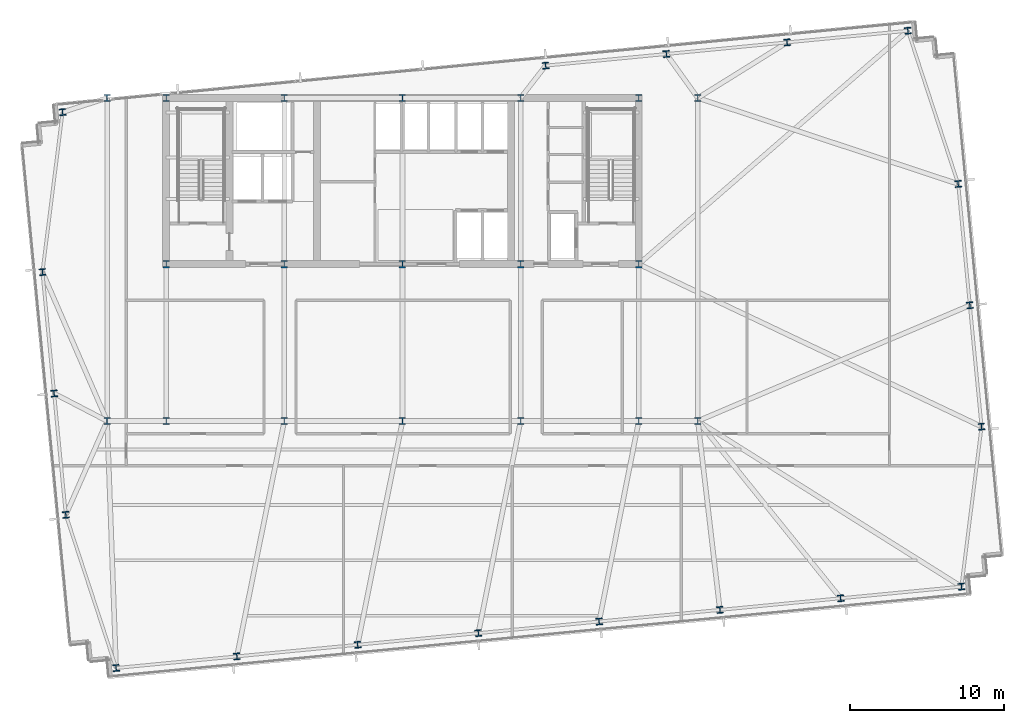
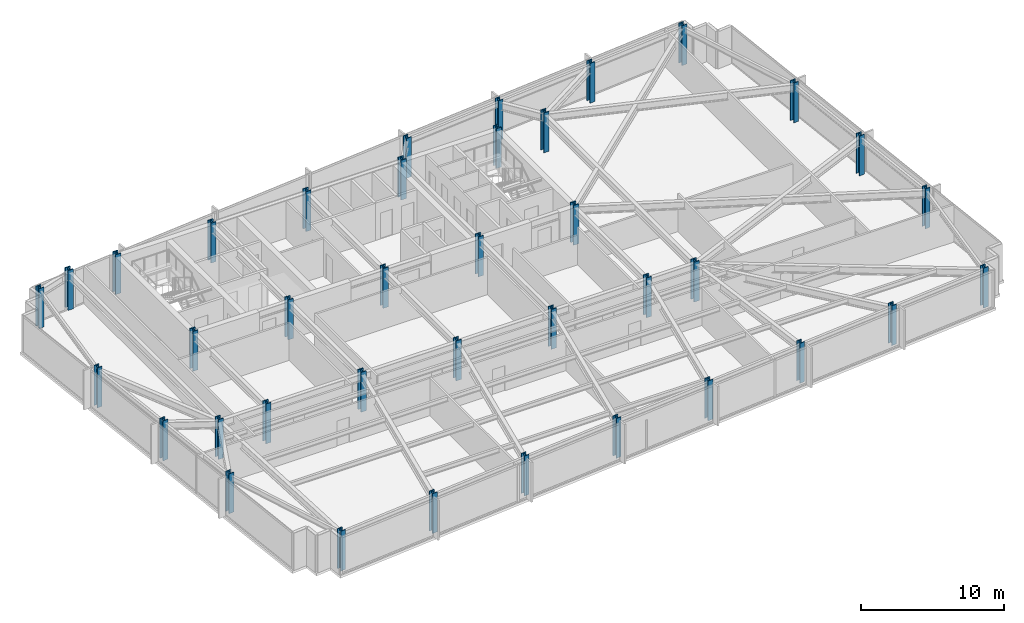
# One storey, part 1 of 32: 38 columns.
"""IFC4 building model written with IfcOpenShell, lengths in metres."""

from ifc_helpers import new_model, si_unit, direction, frame, origin, origin_2d, place, context, subcontext, project, spatial, i_section, extrude, material, material_profile, profile_set, type_object, element, save


model = new_model("IFC4")

# Units and contexts
model_context = context("Model", 3, precision=1e-05, world=origin(), true_north=direction((0.0, 1.0)))
body_context = subcontext(model_context, "Body", "Model", "MODEL_VIEW")
ifc_project = project(units=[si_unit("LENGTHUNIT", "METRE"), si_unit("AREAUNIT", "SQUARE_METRE"), si_unit("VOLUMEUNIT", "CUBIC_METRE"), si_unit("PLANEANGLEUNIT", "RADIAN"), si_unit("MASSUNIT", "GRAM", prefix="KILO")], contexts=[model_context])

# Site, building, storey
site_placement = place(None, origin())
site = spatial("IfcSite", under=ifc_project, at=site_placement, CompositionType="ELEMENT")
building_placement = place(site_placement, origin())
building = spatial("IfcBuilding", under=site, at=building_placement, Name="Yelkora Congress Tower", CompositionType="ELEMENT")
storey_placement = place(building_placement, frame((0.0, 0.0, 96.5)))
storey = spatial("IfcBuildingStorey", under=building, at=storey_placement, Name="L25", CompositionType="ELEMENT", Elevation=96.5)

# Columns
ifc_material = material(Name="Steel S460M", Category="steel")
ifc_material_profile_1 = material_profile(ifc_material, i_section(OverallWidth=0.412109375, OverallDepth=0.43505859375, WebThickness=0.035888671875, FlangeThickness=0.05810546875, FilletRadius=0.014892578125, at=origin_2d()), Name="HD 400x463")
ifc_profile_set_1 = profile_set([ifc_material_profile_1], Name="Steel S460M")
column_type_1 = type_object("IfcColumnType", Name="COL-HD-463-EXT", PredefinedType="COLUMN", material=ifc_profile_set_1)
for number, where, z_axis, x_axis, name in (
    (1, (19.785888671875, 9.144287109375, 0.0), (0.0, 0.0, 1.0), (0.995396198367, 0.09584575252, 0.0), "L25 Perimeter Column S01"),
    (2, (27.635498046875, 9.900146484375, 0.0), (0.0, 0.0, 1.0), (0.995396198367, 0.09584575252, 0.0), "L25 Perimeter Column S02"),
    (3, (35.48486328125, 10.656005859375, 0.0), (0.0, 0.0, 1.0), (0.995396198367, 0.09584575252, 0.0), "L25 Perimeter Column S03"),
    (4, (43.334228515625, 11.411865234375, 0.0), (0.0, 0.0, 1.0), (0.995396198367, 0.09584575252, 0.0), "L25 Perimeter Column S04"),
    (5, (51.18359375, 12.16748046875, 0.0), (0.0, 0.0, 1.0), (0.995396198367, 0.09584575252, 0.0), "L25 Perimeter Column S05"),
    (6, (59.033203125, 12.92333984375, 0.0), (0.0, 0.0, 1.0), (0.995396198367, 0.09584575252, 0.0), "L25 Perimeter Column S06"),
    (7, (66.882568359375, 13.67919921875, 0.0), (0.0, 0.0, 1.0), (0.995396198367, 0.09584575252, 0.0), "L25 Perimeter Column S07"),
    (8, (74.73193359375, 14.43505859375, 0.0), (0.0, 0.0, 1.0), (0.995396198367, 0.09584575252, 0.0), "L25 Perimeter Column S08"),
    (9, (16.306884765625, 45.27734375, 0.0), (0.0, 0.0, 1.0), (0.995396198367, 0.09584575252, 0.0), "L25 Perimeter Column N01"),
    (10, (47.70458984375, 48.300537109375, 0.0), (0.0, 0.0, 1.0), (0.995396198367, 0.09584575252, 0.0), "L25 Perimeter Column N05"),
    (11, (55.553955078125, 49.056396484375, 0.0), (0.0, 0.0, 1.0), (0.995396198367, 0.09584575252, 0.0), "L25 Perimeter Column N06"),
    (12, (63.4033203125, 49.81201171875, 0.0), (0.0, 0.0, 1.0), (0.995396198367, 0.09584575252, 0.0), "L25 Perimeter Column N07"),
    (13, (71.252685546875, 50.568115234375, 0.0), (0.0, 0.0, 1.0), (0.995396198367, 0.09584575252, 0.0), "L25 Perimeter Column N08"),
    (14, (16.5166015625, 19.101806640625, 0.0), (0.0, 0.0, 1.0), (0.995396198367, 0.09584575252, 0.0), "L25 Perimeter Column W01"),
    (15, (76.041259765625, 24.83349609375, 0.0), (0.0, 0.0, 1.0), (0.995396198367, 0.09584575252, 0.0), "L25 Perimeter Column E01"),
    (16, (15.757080078125, 26.990478515625, 0.0), (0.0, 0.0, 1.0), (0.995396198367, 0.09584575252, 0.0), "L25 Perimeter Column W02"),
    (17, (75.28173828125, 32.721923828125, 0.0), (0.0, 0.0, 1.0), (0.995396198367, 0.09584575252, 0.0), "L25 Perimeter Column E02"),
    (18, (14.997314453125, 34.87890625, 0.0), (0.0, 0.0, 1.0), (0.995396198367, 0.09584575252, 0.0), "L25 Perimeter Column W03"),
    (19, (74.522216796875, 40.610595703125, 0.0), (0.0, 0.0, 1.0), (0.995396198367, 0.09584575252, 0.0), "L25 Perimeter Column E03"),
):
    element("IfcColumn", number, at=place(storey_placement, frame(where, z_axis=z_axis, x_axis=x_axis)), inside=storey, type_object=column_type_1, Name=name, PredefinedType="COLUMN", context=body_context, shape_type="SweptSolid", body=[
        extrude(i_section(OverallWidth=0.412109375, OverallDepth=0.43505859375, WebThickness=0.035888671875, FlangeThickness=0.05810546875, FilletRadius=0.014892578125, at=origin_2d()), origin(), (0.0, 0.0, 1.0), 3.39990234375),
    ])
ifc_material_profile_2 = material_profile(ifc_material, i_section(OverallWidth=0.424072265625, OverallDepth=0.47412109375, WebThickness=0.047119140625, FlangeThickness=0.076904296875, FilletRadius=0.014892578125, at=origin_2d()), Name="HD 400x634")
ifc_profile_set_2 = profile_set([ifc_material_profile_2], Name="Steel S460M")
column_type_2 = type_object("IfcColumnType", Name="COL-HD-634", PredefinedType="COLUMN", material=ifc_profile_set_2)
for number, where, z_axis, x_axis, name in (
    (20, (23.0400390625, 35.39990234375, 0.0), (0.0, 0.0, 1.0), (1.0, 0.0, 0.0), "L25 Mega Column MC-S1"),
    (21, (23.0400390625, 46.199951171875, 0.0), (0.0, 0.0, 1.0), (1.0, 0.0, 0.0), "L25 Mega Column MC-N1"),
    (22, (23.0400390625, 25.199951171875, 0.0), (0.0, 0.0, 1.0), (1.0, 0.0, 0.0), "L25 Mega Column MC-D1"),
    (23, (30.719970703125, 35.39990234375, 0.0), (0.0, 0.0, 1.0), (1.0, 0.0, 0.0), "L25 Mega Column MC-S2"),
    (24, (30.719970703125, 46.199951171875, 0.0), (0.0, 0.0, 1.0), (1.0, 0.0, 0.0), "L25 Mega Column MC-N2"),
    (25, (30.719970703125, 25.199951171875, 0.0), (0.0, 0.0, 1.0), (1.0, 0.0, 0.0), "L25 Mega Column MC-D2"),
    (26, (38.39990234375, 35.39990234375, 0.0), (0.0, 0.0, 1.0), (1.0, 0.0, 0.0), "L25 Mega Column MC-S3"),
    (27, (38.39990234375, 46.199951171875, 0.0), (0.0, 0.0, 1.0), (1.0, 0.0, 0.0), "L25 Mega Column MC-N3"),
    (28, (38.39990234375, 25.199951171875, 0.0), (0.0, 0.0, 1.0), (1.0, 0.0, 0.0), "L25 Mega Column MC-D3"),
    (29, (46.080078125, 35.39990234375, 0.0), (0.0, 0.0, 1.0), (1.0, 0.0, 0.0), "L25 Mega Column MC-S4"),
    (30, (46.080078125, 46.199951171875, 0.0), (0.0, 0.0, 1.0), (1.0, 0.0, 0.0), "L25 Mega Column MC-N4"),
    (31, (46.080078125, 25.199951171875, 0.0), (0.0, 0.0, 1.0), (1.0, 0.0, 0.0), "L25 Mega Column MC-D4"),
    (32, (53.760009765625, 35.39990234375, 0.0), (0.0, 0.0, 1.0), (1.0, 0.0, 0.0), "L25 Mega Column MC-S5"),
    (33, (53.760009765625, 46.199951171875, 0.0), (0.0, 0.0, 1.0), (1.0, 0.0, 0.0), "L25 Mega Column MC-N5"),
    (34, (53.760009765625, 25.199951171875, 0.0), (0.0, 0.0, 1.0), (1.0, 0.0, 0.0), "L25 Mega Column MC-D5"),
    (35, (19.199951171875, 25.199951171875, 0.0), (0.0, 0.0, 1.0), (1.0, 0.0, 0.0), "L25 Mega Column MC-F1"),
    (36, (57.60009765625, 25.199951171875, 0.0), (0.0, 0.0, 1.0), (1.0, 0.0, 0.0), "L25 Mega Column MC-F2"),
    (37, (19.199951171875, 46.199951171875, 0.0), (0.0, 0.0, 1.0), (1.0, 0.0, 0.0), "L25 Mega Column MC-F3"),
    (38, (57.60009765625, 46.199951171875, 0.0), (0.0, 0.0, 1.0), (1.0, 0.0, 0.0), "L25 Mega Column MC-F4"),
):
    element("IfcColumn", number, at=place(storey_placement, frame(where, z_axis=z_axis, x_axis=x_axis)), inside=storey, type_object=column_type_2, Name=name, PredefinedType="COLUMN", context=body_context, shape_type="SweptSolid", body=[
        extrude(i_section(OverallWidth=0.424072265625, OverallDepth=0.47412109375, WebThickness=0.047119140625, FlangeThickness=0.076904296875, FilletRadius=0.014892578125, at=origin_2d()), origin(), (0.0, 0.0, 1.0), 3.39990234375),
    ])

save(model, "model.ifc")
